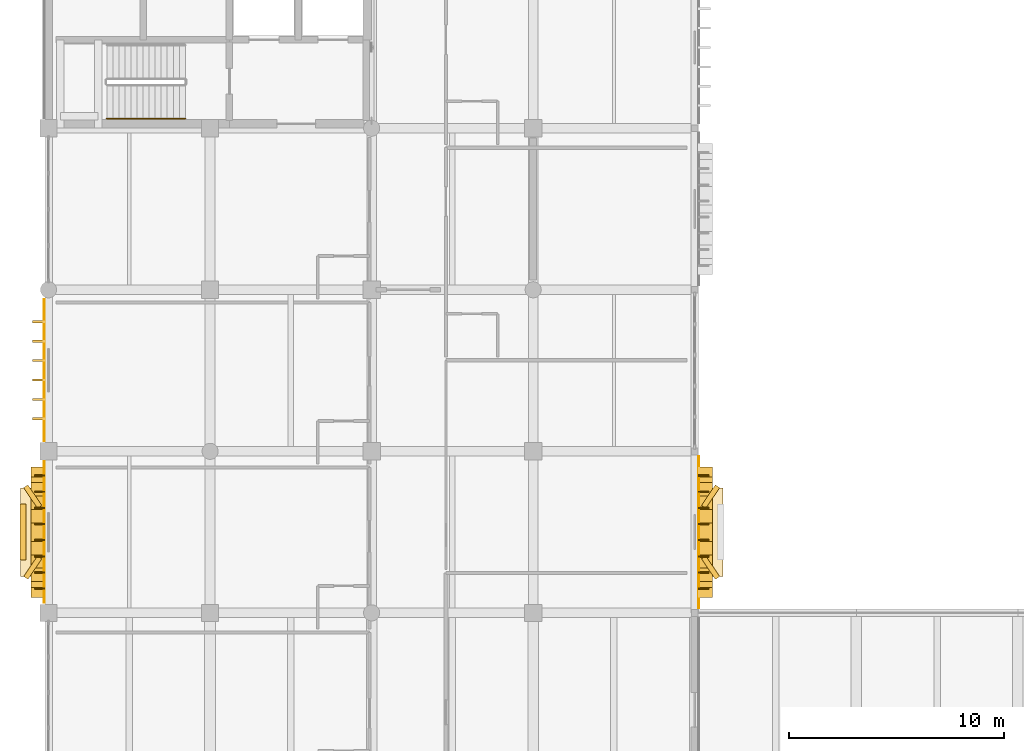
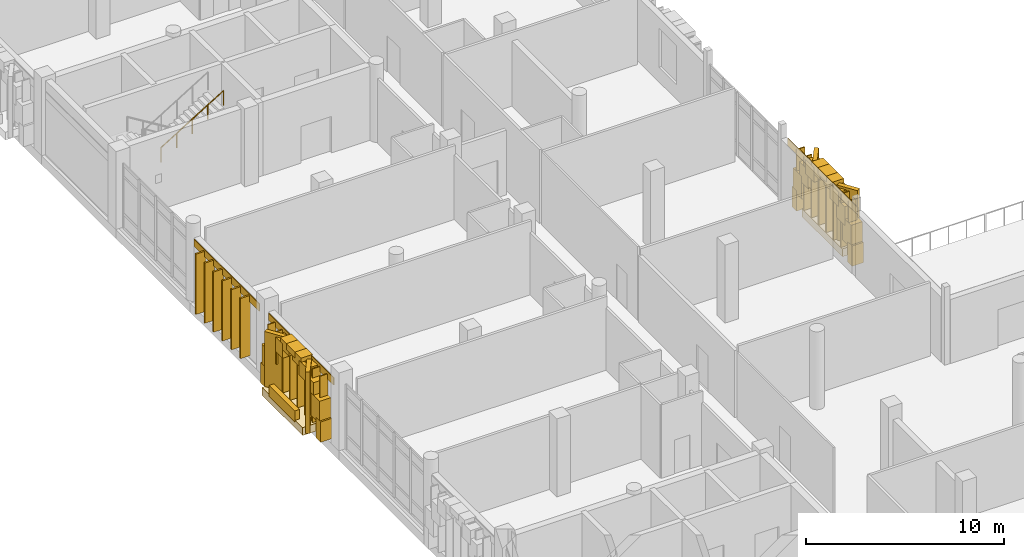
# One storey, part 114 of 131: 38 coverings, 16 shading devices, 1 railing.
"""IFC4 building model written with IfcOpenShell, lengths in metres."""

from ifc_helpers import new_model, si_unit, direction, frame, origin, origin_2d, place, context, subcontext, project, spatial, rectangle, circle, extrude, material, layer, layer_set, type_object, element, save


model = new_model("IFC4")

# Units and contexts
model_context = context("Model", 3, precision=1e-05, world=origin(), true_north=direction((0.0, 1.0)))
body_context = subcontext(model_context, "Body", "Model", "MODEL_VIEW")
ifc_project = project(units=[si_unit("LENGTHUNIT", "METRE"), si_unit("AREAUNIT", "SQUARE_METRE"), si_unit("VOLUMEUNIT", "CUBIC_METRE"), si_unit("PLANEANGLEUNIT", "RADIAN"), si_unit("MASSUNIT", "GRAM", prefix="KILO")], contexts=[model_context])

# Site, building, storey
site_placement = place(None, origin())
site = spatial("IfcSite", under=ifc_project, at=site_placement, CompositionType="ELEMENT")
building_placement = place(site_placement, origin())
building = spatial("IfcBuilding", under=site, at=building_placement, Name="Dalvernix Boulevard General Hospital", CompositionType="ELEMENT")
storey_placement = place(building_placement, frame((0.0, 0.0, 9.300048828125)))
storey = spatial("IfcBuildingStorey", under=building, at=storey_placement, Name="L02", CompositionType="ELEMENT", Elevation=9.300048828125)

# Coverings
ifc_material_1 = material(Name="Pressed Catalan clay brick and dressed limestone parabolic archivolt", Category="masonry")
ifc_layer_1 = layer(ifc_material_1, 0.419921875)
ifc_layer_set_1 = layer_set([ifc_layer_1], Name="Pressed Catalan clay brick and dressed limestone parabolic archivolt (COV-ARC-01)")
covering_type_1 = type_object("IfcCoveringType", Name="COV-ARC-01", PredefinedType="CLADDING", material=ifc_layer_set_1)
for number, where, z_axis, x_axis, name in (
    (1, (-0.485107421875, 32.449951171875, 0.0), (0.0, 0.0, 1.0), (0.0, 1.0, 0.0), "L02 Catalan parabolic arch impost pier W 0-4-L"),
    (2, (-0.485107421875, 38.050048828125, 0.0), (0.0, 0.0, 1.0), (0.0, 1.0, 0.0), "L02 Catalan parabolic arch impost pier W 0-4-R"),
):
    element("IfcCovering", number, at=place(storey_placement, frame(where, z_axis=z_axis, x_axis=x_axis)), inside=storey, type_object=covering_type_1, Name=name, PredefinedType="CLADDING", context=body_context, shape_type="SweptSolid", body=[
        extrude(rectangle(XDim=0.4599609375, YDim=0.659912109375, at=origin_2d()), origin(), (0.0, 0.0, 1.0), 1.25),
    ])
covering_1_placement = place(storey_placement, frame((-0.485107421875, 32.760986328125, 1.059814453125), z_axis=(0.0, 0.0, 1.0), x_axis=(0.0, 1.0, 0.0)))
element("IfcCovering", 3, at=covering_1_placement, inside=storey, type_object=covering_type_1, Name="L02 Catalan parabolic archivolt voussoir W 0-4-1", PredefinedType="CLADDING", context=body_context, shape_type="SweptSolid", body=[
    extrude(rectangle(XDim=0.8623046875, YDim=0.659912109375, at=origin_2d()), origin(), (0.0, 0.0, 1.0), 1.3994140625),
])
covering_2_placement = place(storey_placement, frame((-0.485107421875, 33.38330078125, 2.0791015625), z_axis=(0.0, 0.0, 1.0), x_axis=(0.0, 1.0, 0.0)))
element("IfcCovering", 4, at=covering_2_placement, inside=storey, type_object=covering_type_1, Name="L02 Catalan parabolic archivolt voussoir W 0-4-2", PredefinedType="CLADDING", context=body_context, shape_type="SweptSolid", body=[
    extrude(rectangle(XDim=0.8623046875, YDim=0.659912109375, at=origin_2d()), origin(), (0.0, 0.0, 1.0), 1.144287109375),
])
covering_3_placement = place(storey_placement, frame((-0.485107421875, 34.005615234375, 2.843505859375), z_axis=(0.0, 0.0, 1.0), x_axis=(0.0, 1.0, 0.0)))
element("IfcCovering", 5, at=covering_3_placement, inside=storey, type_object=covering_type_1, Name="L02 Catalan parabolic archivolt voussoir W 0-4-3", PredefinedType="CLADDING", context=body_context, shape_type="SweptSolid", body=[
    extrude(rectangle(XDim=0.8623046875, YDim=0.659912109375, at=origin_2d()), origin(), (0.0, 0.0, 1.0), 0.8896484375),
])
covering_4_placement = place(storey_placement, frame((-0.485107421875, 34.627685546875, 3.353271484375), z_axis=(0.0, 0.0, 1.0), x_axis=(0.0, 1.0, 0.0)))
element("IfcCovering", 6, at=covering_4_placement, inside=storey, type_object=covering_type_1, Name="L02 Catalan parabolic archivolt voussoir W 0-4-4", PredefinedType="CLADDING", context=body_context, shape_type="SweptSolid", body=[
    extrude(rectangle(XDim=0.8623046875, YDim=0.659912109375, at=origin_2d()), origin(), (0.0, 0.0, 1.0), 0.634765625),
])
covering_5_placement = place(storey_placement, frame((-0.485107421875, 35.25, 3.608154296875), z_axis=(0.0, 0.0, 1.0), x_axis=(0.0, 1.0, 0.0)))
element("IfcCovering", 7, at=covering_5_placement, inside=storey, type_object=covering_type_1, Name="L02 Catalan parabolic archivolt voussoir W 0-4-5", PredefinedType="CLADDING", context=body_context, shape_type="SweptSolid", body=[
    extrude(rectangle(XDim=0.8623046875, YDim=0.659912109375, at=origin_2d()), origin(), (0.0, 0.0, 1.0), 0.3798828125),
])
covering_6_placement = place(storey_placement, frame((-0.485107421875, 35.872314453125, 3.353271484375), z_axis=(0.0, 0.0, 1.0), x_axis=(0.0, 1.0, 0.0)))
element("IfcCovering", 8, at=covering_6_placement, inside=storey, type_object=covering_type_1, Name="L02 Catalan parabolic archivolt voussoir W 0-4-6", PredefinedType="CLADDING", context=body_context, shape_type="SweptSolid", body=[
    extrude(rectangle(XDim=0.8623046875, YDim=0.659912109375, at=origin_2d()), origin(), (0.0, 0.0, 1.0), 0.634765625),
])
covering_7_placement = place(storey_placement, frame((-0.485107421875, 36.494384765625, 2.843505859375), z_axis=(0.0, 0.0, 1.0), x_axis=(0.0, 1.0, 0.0)))
element("IfcCovering", 9, at=covering_7_placement, inside=storey, type_object=covering_type_1, Name="L02 Catalan parabolic archivolt voussoir W 0-4-7", PredefinedType="CLADDING", context=body_context, shape_type="SweptSolid", body=[
    extrude(rectangle(XDim=0.8623046875, YDim=0.659912109375, at=origin_2d()), origin(), (0.0, 0.0, 1.0), 0.8896484375),
])
covering_8_placement = place(storey_placement, frame((-0.485107421875, 37.11669921875, 2.0791015625), z_axis=(0.0, 0.0, 1.0), x_axis=(0.0, 1.0, 0.0)))
element("IfcCovering", 10, at=covering_8_placement, inside=storey, type_object=covering_type_1, Name="L02 Catalan parabolic archivolt voussoir W 0-4-8", PredefinedType="CLADDING", context=body_context, shape_type="SweptSolid", body=[
    extrude(rectangle(XDim=0.8623046875, YDim=0.659912109375, at=origin_2d()), origin(), (0.0, 0.0, 1.0), 1.144287109375),
])
covering_9_placement = place(storey_placement, frame((-0.485107421875, 37.739013671875, 1.059814453125), z_axis=(0.0, 0.0, 1.0), x_axis=(0.0, 1.0, 0.0)))
element("IfcCovering", 11, at=covering_9_placement, inside=storey, type_object=covering_type_1, Name="L02 Catalan parabolic archivolt voussoir W 0-4-9", PredefinedType="CLADDING", context=body_context, shape_type="SweptSolid", body=[
    extrude(rectangle(XDim=0.8623046875, YDim=0.659912109375, at=origin_2d()), origin(), (0.0, 0.0, 1.0), 1.3994140625),
])
for number, where, z_axis, x_axis, name in (
    (12, (30.485107421875, 38.050048828125, 0.0), (0.0, 0.0, 1.0), (0.0, -1.0, 0.0), "L02 Catalan parabolic arch impost pier E 4-4-L"),
    (13, (30.485107421875, 32.449951171875, 0.0), (0.0, 0.0, 1.0), (0.0, -1.0, 0.0), "L02 Catalan parabolic arch impost pier E 4-4-R"),
):
    element("IfcCovering", number, at=place(storey_placement, frame(where, z_axis=z_axis, x_axis=x_axis)), inside=storey, type_object=covering_type_1, Name=name, PredefinedType="CLADDING", context=body_context, shape_type="SweptSolid", body=[
        extrude(rectangle(XDim=0.4599609375, YDim=0.659912109375, at=origin_2d()), origin(), (0.0, 0.0, 1.0), 1.25),
    ])
covering_10_placement = place(storey_placement, frame((30.485107421875, 37.739013671875, 1.059814453125), z_axis=(0.0, 0.0, 1.0), x_axis=(0.0, -1.0, 0.0)))
element("IfcCovering", 14, at=covering_10_placement, inside=storey, type_object=covering_type_1, Name="L02 Catalan parabolic archivolt voussoir E 4-4-1", PredefinedType="CLADDING", context=body_context, shape_type="SweptSolid", body=[
    extrude(rectangle(XDim=0.8623046875, YDim=0.659912109375, at=origin_2d()), origin(), (0.0, 0.0, 1.0), 1.3994140625),
])
covering_11_placement = place(storey_placement, frame((30.485107421875, 37.11669921875, 2.0791015625), z_axis=(0.0, 0.0, 1.0), x_axis=(0.0, -1.0, 0.0)))
element("IfcCovering", 15, at=covering_11_placement, inside=storey, type_object=covering_type_1, Name="L02 Catalan parabolic archivolt voussoir E 4-4-2", PredefinedType="CLADDING", context=body_context, shape_type="SweptSolid", body=[
    extrude(rectangle(XDim=0.8623046875, YDim=0.659912109375, at=origin_2d()), origin(), (0.0, 0.0, 1.0), 1.144287109375),
])
covering_12_placement = place(storey_placement, frame((30.485107421875, 36.494384765625, 2.843505859375), z_axis=(0.0, 0.0, 1.0), x_axis=(0.0, -1.0, 0.0)))
element("IfcCovering", 16, at=covering_12_placement, inside=storey, type_object=covering_type_1, Name="L02 Catalan parabolic archivolt voussoir E 4-4-3", PredefinedType="CLADDING", context=body_context, shape_type="SweptSolid", body=[
    extrude(rectangle(XDim=0.8623046875, YDim=0.659912109375, at=origin_2d()), origin(), (0.0, 0.0, 1.0), 0.8896484375),
])
covering_13_placement = place(storey_placement, frame((30.485107421875, 35.872314453125, 3.353271484375), z_axis=(0.0, 0.0, 1.0), x_axis=(0.0, -1.0, 0.0)))
element("IfcCovering", 17, at=covering_13_placement, inside=storey, type_object=covering_type_1, Name="L02 Catalan parabolic archivolt voussoir E 4-4-4", PredefinedType="CLADDING", context=body_context, shape_type="SweptSolid", body=[
    extrude(rectangle(XDim=0.8623046875, YDim=0.659912109375, at=origin_2d()), origin(), (0.0, 0.0, 1.0), 0.634765625),
])
covering_14_placement = place(storey_placement, frame((30.485107421875, 35.25, 3.608154296875), z_axis=(0.0, 0.0, 1.0), x_axis=(0.0, -1.0, 0.0)))
element("IfcCovering", 18, at=covering_14_placement, inside=storey, type_object=covering_type_1, Name="L02 Catalan parabolic archivolt voussoir E 4-4-5", PredefinedType="CLADDING", context=body_context, shape_type="SweptSolid", body=[
    extrude(rectangle(XDim=0.8623046875, YDim=0.659912109375, at=origin_2d()), origin(), (0.0, 0.0, 1.0), 0.3798828125),
])
covering_15_placement = place(storey_placement, frame((30.485107421875, 34.627685546875, 3.353271484375), z_axis=(0.0, 0.0, 1.0), x_axis=(0.0, -1.0, 0.0)))
element("IfcCovering", 19, at=covering_15_placement, inside=storey, type_object=covering_type_1, Name="L02 Catalan parabolic archivolt voussoir E 4-4-6", PredefinedType="CLADDING", context=body_context, shape_type="SweptSolid", body=[
    extrude(rectangle(XDim=0.8623046875, YDim=0.659912109375, at=origin_2d()), origin(), (0.0, 0.0, 1.0), 0.634765625),
])
covering_16_placement = place(storey_placement, frame((30.485107421875, 34.005615234375, 2.843505859375), z_axis=(0.0, 0.0, 1.0), x_axis=(0.0, -1.0, 0.0)))
element("IfcCovering", 20, at=covering_16_placement, inside=storey, type_object=covering_type_1, Name="L02 Catalan parabolic archivolt voussoir E 4-4-7", PredefinedType="CLADDING", context=body_context, shape_type="SweptSolid", body=[
    extrude(rectangle(XDim=0.8623046875, YDim=0.659912109375, at=origin_2d()), origin(), (0.0, 0.0, 1.0), 0.8896484375),
])
covering_17_placement = place(storey_placement, frame((30.485107421875, 33.38330078125, 2.0791015625), z_axis=(0.0, 0.0, 1.0), x_axis=(0.0, -1.0, 0.0)))
element("IfcCovering", 21, at=covering_17_placement, inside=storey, type_object=covering_type_1, Name="L02 Catalan parabolic archivolt voussoir E 4-4-8", PredefinedType="CLADDING", context=body_context, shape_type="SweptSolid", body=[
    extrude(rectangle(XDim=0.8623046875, YDim=0.659912109375, at=origin_2d()), origin(), (0.0, 0.0, 1.0), 1.144287109375),
])
covering_18_placement = place(storey_placement, frame((30.485107421875, 32.760986328125, 1.059814453125), z_axis=(0.0, 0.0, 1.0), x_axis=(0.0, -1.0, 0.0)))
element("IfcCovering", 22, at=covering_18_placement, inside=storey, type_object=covering_type_1, Name="L02 Catalan parabolic archivolt voussoir E 4-4-9", PredefinedType="CLADDING", context=body_context, shape_type="SweptSolid", body=[
    extrude(rectangle(XDim=0.8623046875, YDim=0.659912109375, at=origin_2d()), origin(), (0.0, 0.0, 1.0), 1.3994140625),
])
ifc_material_2 = material(Name="Polychrome glazed Catalan trencadis ceramic faceted bay spandrel")
ifc_layer_2 = layer(ifc_material_2, 0.280029296875)
ifc_layer_set_2 = layer_set([ifc_layer_2], Name="Polychrome glazed Catalan trencadis ceramic faceted bay spandrel (COV-BAY-01)")
covering_type_2 = type_object("IfcCoveringType", Name="COV-BAY-01", PredefinedType="CLADDING", material=ifc_layer_set_2)
covering_19_placement = place(storey_placement, frame((-1.18505859375, 35.25, 0.3798828125), z_axis=(0.0, 0.0, 1.0), x_axis=(0.0, 1.0, 0.0)))
element("IfcCovering", 23, at=covering_19_placement, inside=storey, type_object=covering_type_2, Name="L02 projecting faceted trencadis bay spandrel W 0-4", PredefinedType="CLADDING", context=body_context, shape_type="SweptSolid", body=[
    extrude(rectangle(XDim=2.60009765625, YDim=0.280029296875, at=origin_2d()), origin(), (0.0, 0.0, 1.0), 0.679931640625),
])
for number, where, z_axis, x_axis, name in (
    (24, (-0.735107421875, 33.60009765625, 0.079833984375), (0.0, 0.0, 1.0), (0.559192903471, 0.829037572555, 0.0), "L02 projecting faceted Catalan bay cheek W 0-4-L"),
    (25, (-0.735107421875, 36.89990234375, 0.079833984375), (0.0, 0.0, 1.0), (-0.559192903471, 0.829037572555, 0.0), "L02 projecting faceted Catalan bay cheek W 0-4-R"),
    (26, (30.735107421875, 36.89990234375, 0.079833984375), (0.0, 0.0, 1.0), (-0.559192903471, -0.829037572555, 0.0), "L02 projecting faceted Catalan bay cheek E 4-4-L"),
    (27, (30.735107421875, 33.60009765625, 0.079833984375), (0.0, 0.0, 1.0), (0.559192903471, -0.829037572555, 0.0), "L02 projecting faceted Catalan bay cheek E 4-4-R"),
):
    element("IfcCovering", number, at=place(storey_placement, frame(where, z_axis=z_axis, x_axis=x_axis)), inside=storey, type_object=covering_type_2, Name=name, PredefinedType="CLADDING", context=body_context, shape_type="SweptSolid", body=[
        extrude(rectangle(XDim=1.14990234375, YDim=0.239990234375, at=origin_2d()), origin(), (0.0, 0.0, 1.0), 3.7900390625),
    ])
ifc_material_3 = material(Name="Polychrome Catalan glazed ceramic spandrel tile panel")
ifc_layer_3 = layer(ifc_material_3, 0.044921875)
ifc_layer_set_3 = layer_set([ifc_layer_3], Name="Polychrome Catalan glazed ceramic spandrel tile panel (COV-CLD-01)")
covering_type_3 = type_object("IfcCoveringType", Name="COV-CLD-01", PredefinedType="CLADDING", material=ifc_layer_set_3)
covering_20_placement = place(storey_placement, frame((-0.195068359375, 35.25, 3.47509765625), z_axis=(0.0, 0.0, 1.0), x_axis=(0.0, 1.0, 0.0)))
element("IfcCovering", 28, at=covering_20_placement, inside=storey, type_object=covering_type_3, Name="L02 polychrome ceramic spandrel W 0-4", PredefinedType="CLADDING", context=body_context, shape_type="SweptSolid", body=[
    extrude(rectangle(XDim=6.580078125, YDim=0.044921875, at=origin_2d()), origin(), (0.0, 0.0, 1.0), 0.449951171875),
])
covering_21_placement = place(storey_placement, frame((-0.195068359375, 42.762451171875, 3.47509765625), z_axis=(0.0, 0.0, 1.0), x_axis=(0.0, 1.0, 0.0)))
element("IfcCovering", 29, at=covering_21_placement, inside=storey, type_object=covering_type_3, Name="L02 polychrome ceramic spandrel W 0-5", PredefinedType="CLADDING", context=body_context, shape_type="SweptSolid", body=[
    extrude(rectangle(XDim=6.60498046875, YDim=0.044921875, at=origin_2d()), origin(), (0.0, 0.0, 1.0), 0.449951171875),
])
covering_22_placement = place(storey_placement, frame((30.195068359375, 35.25, 3.47509765625), z_axis=(0.0, 0.0, 1.0), x_axis=(0.0, -1.0, 0.0)))
element("IfcCovering", 30, at=covering_22_placement, inside=storey, type_object=covering_type_3, Name="L02 polychrome ceramic spandrel E 4-4", PredefinedType="CLADDING", context=body_context, shape_type="SweptSolid", body=[
    extrude(rectangle(XDim=7.06005859375, YDim=0.044921875, at=origin_2d()), origin(), (0.0, 0.0, 1.0), 0.449951171875),
])
ifc_material_4 = material(Name="Dressed ochre limestone classical plinth, stringcourse and corbelled cornice", Category="masonry")
ifc_layer_4 = layer(ifc_material_4, 0.449951171875)
ifc_layer_set_4 = layer_set([ifc_layer_4], Name="Dressed ochre limestone classical plinth, stringcourse and corbelled cornice (COV-CRN-01)")
covering_type_4 = type_object("IfcCoveringType", Name="COV-CRN-01", PredefinedType="CLADDING", material=ifc_layer_set_4)
for number, where, z_axis, x_axis, name in (
    (31, (-0.72998046875, 35.25, 0.0), (0.0, 0.0, 1.0), (0.0, 1.0, 0.0), "L02 projecting Catalan bay corbel base W 0-4"),
    (32, (30.72998046875, 35.25, 0.0), (0.0, 0.0, 1.0), (0.0, -1.0, 0.0), "L02 projecting Catalan bay corbel base E 4-4"),
):
    element("IfcCovering", number, at=place(storey_placement, frame(where, z_axis=z_axis, x_axis=x_axis)), inside=storey, type_object=covering_type_4, Name=name, PredefinedType="CLADDING", context=body_context, shape_type="SweptSolid", body=[
        extrude(rectangle(XDim=4.10009765625, YDim=1.14990234375, at=origin_2d()), origin(), (0.0, 0.0, 1.0), 0.47998046875),
    ])
ifc_material_5 = material(Name="Terracotta-clad iroko timber brise-soleil sun-breaker fin", Category="masonry")
ifc_layer_5 = layer(ifc_material_5, 0.10009765625)
ifc_layer_set_5 = layer_set([ifc_layer_5], Name="Terracotta-clad iroko timber brise-soleil sun-breaker fin (COV-FIN-02)")
covering_type_5 = type_object("IfcCoveringType", Name="COV-FIN-02", PredefinedType="CLADDING", material=ifc_layer_set_5)
for number, where, z_axis, x_axis, name in (
    (33, (-0.445068359375, 40.512451171875, 0.119873046875), (0.0, 0.0, 1.0), (0.0, 1.0, 0.0), "L02 terracotta brise-soleil fin W 0-5-1"),
    (34, (-0.445068359375, 41.41259765625, 0.119873046875), (0.0, 0.0, 1.0), (0.0, 1.0, 0.0), "L02 terracotta brise-soleil fin W 0-5-2"),
    (35, (-0.445068359375, 42.3125, 0.119873046875), (0.0, 0.0, 1.0), (0.0, 1.0, 0.0), "L02 terracotta brise-soleil fin W 0-5-3"),
    (36, (-0.445068359375, 43.21240234375, 0.119873046875), (0.0, 0.0, 1.0), (0.0, 1.0, 0.0), "L02 terracotta brise-soleil fin W 0-5-4"),
    (37, (-0.445068359375, 44.112548828125, 0.119873046875), (0.0, 0.0, 1.0), (0.0, 1.0, 0.0), "L02 terracotta brise-soleil fin W 0-5-5"),
    (38, (-0.445068359375, 45.012451171875, 0.119873046875), (0.0, 0.0, 1.0), (0.0, 1.0, 0.0), "L02 terracotta brise-soleil fin W 0-5-6"),
):
    element("IfcCovering", number, at=place(storey_placement, frame(where, z_axis=z_axis, x_axis=x_axis)), inside=storey, type_object=covering_type_5, Name=name, PredefinedType="CLADDING", context=body_context, shape_type="SweptSolid", body=[
        extrude(rectangle(XDim=0.10009765625, YDim=0.580078125, at=origin_2d()), origin(), (0.0, 0.0, 1.0), 3.7099609375),
    ])

# Railing
ifc_material_6 = material(Name="Brushed stainless steel wall handrail", Category="steel")
railing_type = type_object("IfcRailingType", Name="RL-HR-INT1", PredefinedType="HANDRAIL", material=ifc_material_6)
railing_placement = place(storey_placement, frame((2.7099609375, 54.449951171875, 2.5712890625)))
element("IfcRailing", 39, at=railing_placement, inside=storey, type_object=railing_type, Name="L02 ST-02 stair handrail 2", PredefinedType="HANDRAIL", context=body_context, shape_type="SweptSolid", body=[
    extrude(circle(Radius=0.02392578125, at=origin_2d()), frame((0.0, 0.0, 0.8759765625), z_axis=(0.852840387347, 0.0, 0.522171689878), x_axis=(0.0, 1.0, 0.0)), (0.0, 0.0, 1.0), 4.268310546875),
    extrude(circle(Radius=0.02099609375, at=origin_2d()), origin(), (0.0, 0.0, 1.0), 0.851806640625),
    extrude(circle(Radius=0.02099609375, at=origin_2d()), frame((0.91015625, 0.0, 0.55712890625)), (0.0, 0.0, 1.0), 0.851806640625),
    extrude(circle(Radius=0.02099609375, at=origin_2d()), frame((1.820068359375, 0.0, 1.1142578125)), (0.0, 0.0, 1.0), 0.851806640625),
    extrude(circle(Radius=0.02099609375, at=origin_2d()), frame((2.72998046875, 0.0, 1.671630859375)), (0.0, 0.0, 1.0), 0.851806640625),
    extrude(circle(Radius=0.02099609375, at=origin_2d()), frame((3.64013671875, 0.0, 2.228759765625)), (0.0, 0.0, 1.0), 0.851806640625),
])

# Shading devices
ifc_material_7 = material(Name="Preservative-treated West African iroko timber", Category="wood")
shading_device_type = type_object("IfcShadingDeviceType", Name="SHD-FIN-01", PredefinedType="USERDEFINED", material=ifc_material_7)
for number, where, z_axis, x_axis, name in (
    (40, (-0.405029296875, 32.625, 0.1748046875), (0.0, 0.0, 1.0), (0.0, 1.0, 0.0), "L02 iroko brise-soleil fin 1"),
    (41, (-0.405029296875, 33.375, 0.1748046875), (0.0, 0.0, 1.0), (0.0, 1.0, 0.0), "L02 iroko brise-soleil fin 2"),
    (42, (-0.405029296875, 34.125, 0.1748046875), (0.0, 0.0, 1.0), (0.0, 1.0, 0.0), "L02 iroko brise-soleil fin 3"),
    (43, (-0.405029296875, 34.875, 0.1748046875), (0.0, 0.0, 1.0), (0.0, 1.0, 0.0), "L02 iroko brise-soleil fin 4"),
    (44, (-0.405029296875, 35.625, 0.1748046875), (0.0, 0.0, 1.0), (0.0, 1.0, 0.0), "L02 iroko brise-soleil fin 5"),
    (45, (-0.405029296875, 36.375, 0.1748046875), (0.0, 0.0, 1.0), (0.0, 1.0, 0.0), "L02 iroko brise-soleil fin 6"),
    (46, (-0.405029296875, 37.125, 0.1748046875), (0.0, 0.0, 1.0), (0.0, 1.0, 0.0), "L02 iroko brise-soleil fin 7"),
    (47, (-0.405029296875, 37.875, 0.1748046875), (0.0, 0.0, 1.0), (0.0, 1.0, 0.0), "L02 iroko brise-soleil fin 8"),
    (48, (30.405029296875, 37.875, 0.1748046875), (0.0, 0.0, 1.0), (0.0, -1.0, 0.0), "L02 iroko brise-soleil fin 1"),
    (49, (30.405029296875, 37.125, 0.1748046875), (0.0, 0.0, 1.0), (0.0, -1.0, 0.0), "L02 iroko brise-soleil fin 2"),
    (50, (30.405029296875, 36.375, 0.1748046875), (0.0, 0.0, 1.0), (0.0, -1.0, 0.0), "L02 iroko brise-soleil fin 3"),
    (51, (30.405029296875, 35.625, 0.1748046875), (0.0, 0.0, 1.0), (0.0, -1.0, 0.0), "L02 iroko brise-soleil fin 4"),
    (52, (30.405029296875, 34.875, 0.1748046875), (0.0, 0.0, 1.0), (0.0, -1.0, 0.0), "L02 iroko brise-soleil fin 5"),
    (53, (30.405029296875, 34.125, 0.1748046875), (0.0, 0.0, 1.0), (0.0, -1.0, 0.0), "L02 iroko brise-soleil fin 6"),
    (54, (30.405029296875, 33.375, 0.1748046875), (0.0, 0.0, 1.0), (0.0, -1.0, 0.0), "L02 iroko brise-soleil fin 7"),
    (55, (30.405029296875, 32.625, 0.1748046875), (0.0, 0.0, 1.0), (0.0, -1.0, 0.0), "L02 iroko brise-soleil fin 8"),
):
    element("IfcShadingDevice", number, at=place(storey_placement, frame(where, z_axis=z_axis, x_axis=x_axis)), inside=storey, type_object=shading_device_type, Name=name, ObjectType="FIN", PredefinedType="USERDEFINED", context=body_context, shape_type="SweptSolid", body=[
        extrude(rectangle(XDim=0.06494140625, YDim=0.47998046875, at=origin_2d()), origin(), (0.0, 0.0, 1.0), 3.60009765625),
    ])

save(model, "model.ifc")
